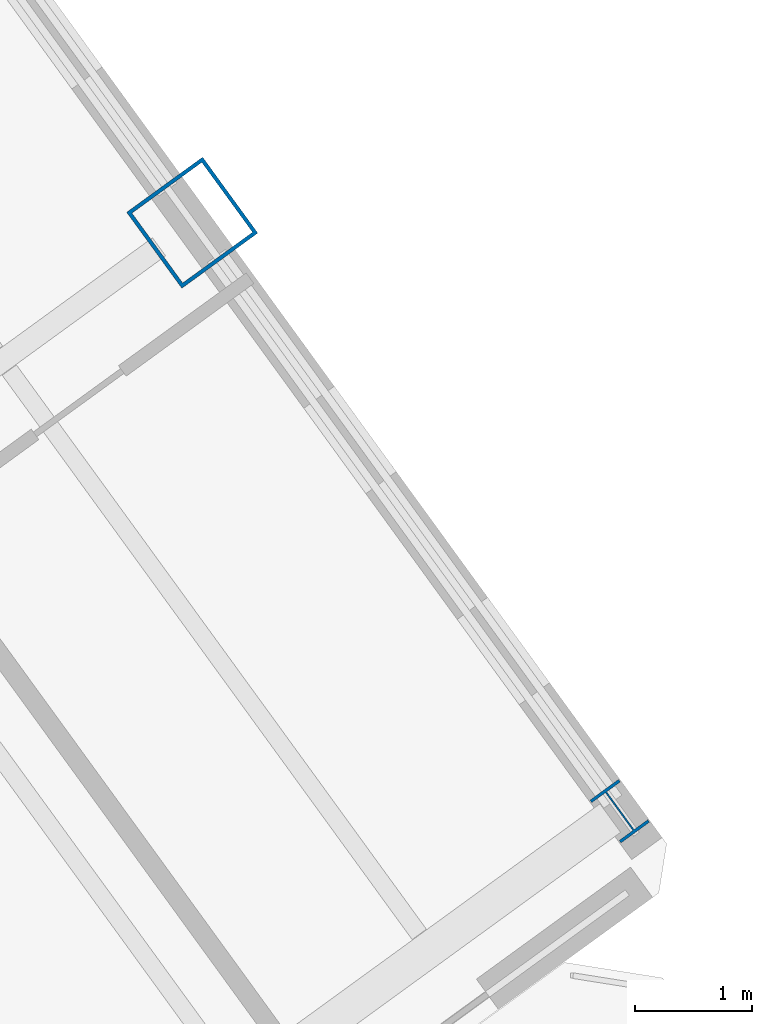
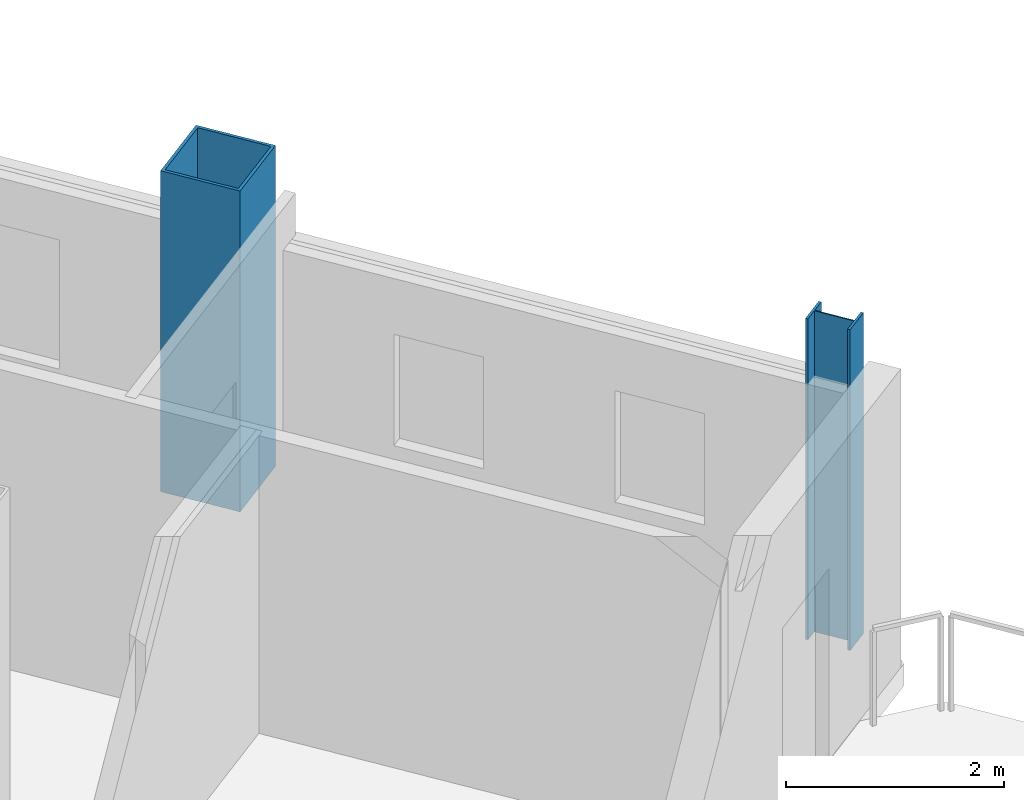
# One storey, part 4 of 29: 2 columns.
"""IFC4 building model written with IfcOpenShell, lengths in metres."""

from ifc_helpers import new_model, si_unit, direction, frame, origin, origin_2d, place, context, subcontext, project, spatial, hollow_rectangle, i_section, extrude, source, transform, mapped, material, material_profile, profile_set, type_object, element, save


model = new_model("IFC4")

# Units and contexts
model_context = context("Model", 3, precision=1e-05, world=origin(), true_north=direction((0.0, 1.0)))
body_context = subcontext(model_context, "Body", "Model", "MODEL_VIEW")
ifc_project = project(units=[si_unit("LENGTHUNIT", "METRE"), si_unit("AREAUNIT", "SQUARE_METRE"), si_unit("VOLUMEUNIT", "CUBIC_METRE"), si_unit("PLANEANGLEUNIT", "RADIAN"), si_unit("MASSUNIT", "GRAM", prefix="KILO")], contexts=[model_context])

# Site, building, storey
site_placement = place(None, origin())
site = spatial("IfcSite", under=ifc_project, at=site_placement, CompositionType="ELEMENT")
building_placement = place(site_placement, origin())
building = spatial("IfcBuilding", under=site, at=building_placement, Name="Tlacorven Tower", CompositionType="ELEMENT")
storey_placement = place(building_placement, frame((0.0, 0.0, 238.5)))
storey = spatial("IfcBuildingStorey", under=building, at=storey_placement, Name="L60", CompositionType="ELEMENT", Elevation=238.5)

# Columns
ifc_material_1 = material(Name="Steel S460M", Category="steel")
ifc_material_profile_1 = material_profile(ifc_material_1, hollow_rectangle(XDim=0.800048828125, YDim=0.800048828125, WallThickness=0.031982421875, at=origin_2d()), Name="BOX 800X800X32")
ifc_profile_set_1 = profile_set([ifc_material_profile_1], Name="Steel S460M")
column_type_1 = type_object("IfcColumnType", Name="COL-TWR-S3", PredefinedType="COLUMN", material=ifc_profile_set_1)
shared_shape_1 = source(origin(), body_context, "Body", "SweptSolid", [
    extrude(hollow_rectangle(XDim=0.800048828125, YDim=0.800048828125, WallThickness=0.031982421875, at=origin_2d()), origin(), (0.0, 0.0, 1.0), 3.60009765625),
])
column_1_placement = place(storey_placement, frame((67.267822265625, 23.353515625, 0.0), z_axis=(0.0, 0.0, 1.0), x_axis=(0.809016994375, 0.587785252292, 0.0)))
element("IfcColumn", 1, at=column_1_placement, inside=storey, type_object=column_type_1, Name="L60 column COL-L60-E4-2", PredefinedType="COLUMN", context=body_context, shape_type="MappedRepresentation", body=[
    mapped(shared_shape_1, transform((0.0, 0.0, 0.0), scale=1.0)),
])
ifc_material_2 = material(Name="Steel S355J2", Category="steel")
ifc_material_profile_2 = material_profile(ifc_material_2, i_section(OverallWidth=0.300048828125, OverallDepth=0.449951171875, WebThickness=0.013916015625, FlangeThickness=0.02587890625, at=origin_2d()), Name="HEB 450")
ifc_profile_set_2 = profile_set([ifc_material_profile_2], Name="Steel S355J2")
column_type_2 = type_object("IfcColumnType", Name="COL-TWR-P3", PredefinedType="COLUMN", material=ifc_profile_set_2)
shared_shape_2 = source(origin(), body_context, "Body", "SweptSolid", [
    extrude(i_section(OverallWidth=0.300048828125, OverallDepth=0.449951171875, WebThickness=0.013916015625, FlangeThickness=0.02587890625, at=origin_2d()), origin(), (0.0, 0.0, 1.0), 3.60009765625),
])
column_2_placement = place(storey_placement, frame((70.911865234375, 18.337646484375, 0.0), z_axis=(0.0, 0.0, 1.0), x_axis=(0.809016994375, 0.587785252292, 0.0)))
element("IfcColumn", 2, at=column_2_placement, inside=storey, type_object=column_type_2, Name="L60 column COL-L60-E4-1", PredefinedType="COLUMN", context=body_context, shape_type="MappedRepresentation", body=[
    mapped(shared_shape_2, transform((0.0, 0.0, 0.0), scale=1.0)),
])

save(model, "model.ifc")
